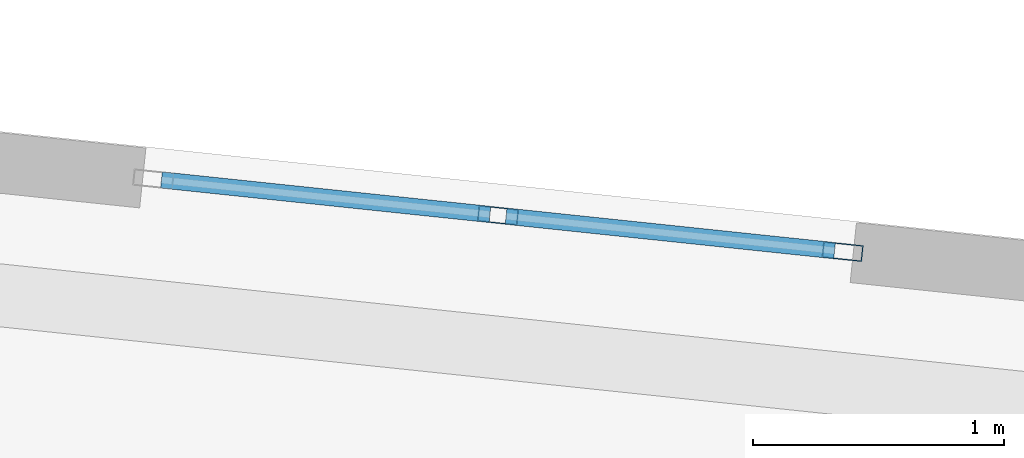
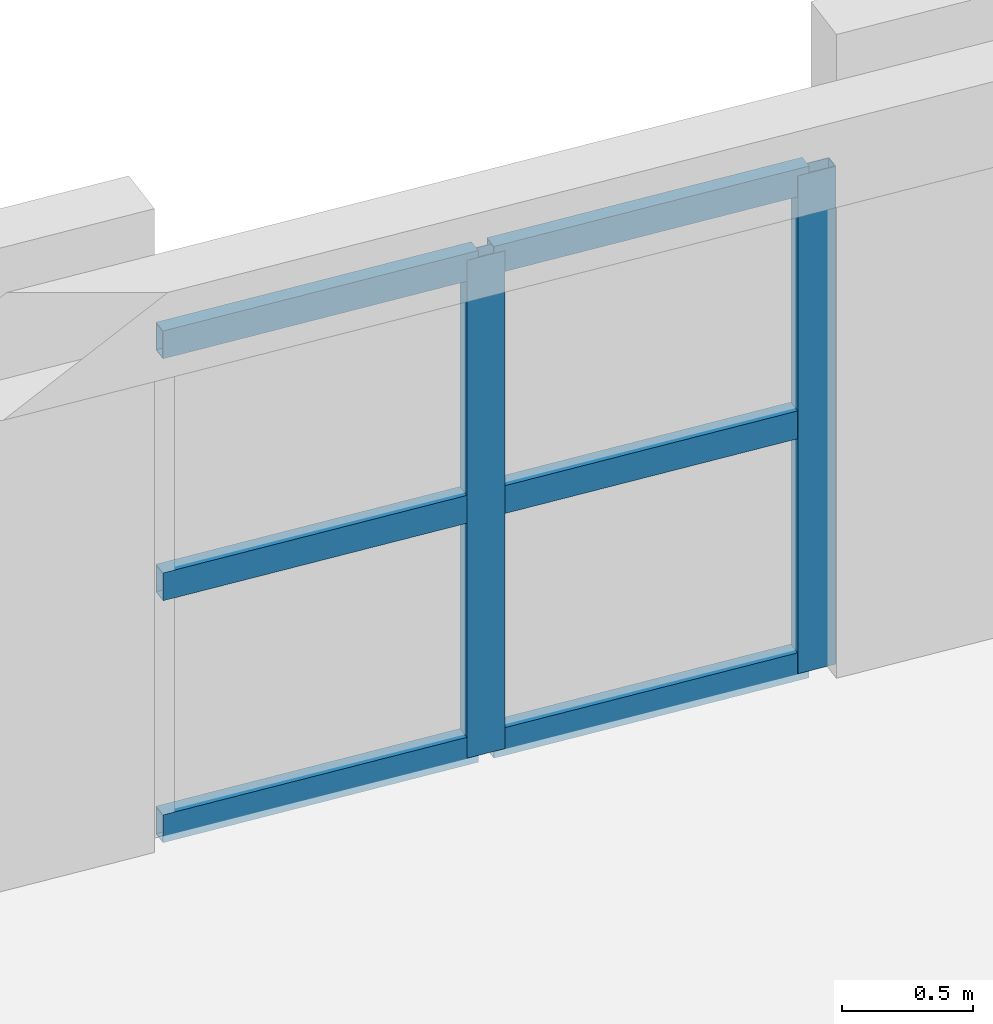
# One storey, part 16 of 56: 8 members, 1 element without a shape of its own.
"""IFC4 building model written with IfcOpenShell, lengths in metres."""

from ifc_helpers import new_model, si_unit, direction, frame, origin, origin_2d, place, context, subcontext, project, spatial, hollow_rectangle, extrude, material, material_profile, profile_set, type_object, element, aggregate, save


model = new_model("IFC4")

# Units and contexts
model_context = context("Model", 3, precision=1e-05, world=origin(), true_north=direction((0.0, 1.0)))
body_context = subcontext(model_context, "Body", "Model", "MODEL_VIEW")
ifc_project = project(units=[si_unit("LENGTHUNIT", "METRE"), si_unit("AREAUNIT", "SQUARE_METRE"), si_unit("VOLUMEUNIT", "CUBIC_METRE"), si_unit("PLANEANGLEUNIT", "RADIAN"), si_unit("MASSUNIT", "GRAM", prefix="KILO")], contexts=[model_context])

# Site, building, storey
site_placement = place(None, origin())
site = spatial("IfcSite", under=ifc_project, at=site_placement, CompositionType="ELEMENT")
building_placement = place(site_placement, origin())
building = spatial("IfcBuilding", under=site, at=building_placement, Name="Kestramere Prow Commons", CompositionType="ELEMENT")
storey_placement = place(building_placement, frame((0.0, 0.0, 27.89990234375)))
storey = spatial("IfcBuildingStorey", under=building, at=storey_placement, Name="L08", CompositionType="ELEMENT", Elevation=27.89990234375)

# Curtain wall, members
ifc_material_1 = material(Name="Anodised Aluminium and Low-E Glass", Category="aluminium")
curtain_wall_type = type_object("IfcCurtainWallType", Name="CW-03 Glazed Curtain Wall 2830x2320", PredefinedType="USERDEFINED", material=ifc_material_1)
curtain_wall_placement = place(storey_placement, origin())
curtain_wall = element("IfcCurtainWall", 1, at=curtain_wall_placement, inside=storey, type_object=curtain_wall_type, Name="Block B L08 Stairwell Vertical Glazing 5", ObjectType="GLAZED CURTAIN WALL", PredefinedType="USERDEFINED")
ifc_material_2 = material(Name="Anodised Aluminium 6063-T6", Category="aluminium")
ifc_material_profile_1 = material_profile(ifc_material_2, hollow_rectangle(XDim=0.06494140625, YDim=0.159912109375, WallThickness=0.00390625, at=origin_2d()), Name="ALU-MUL 65x160")
ifc_profile_set_1 = profile_set([ifc_material_profile_1], Name="Anodised Aluminium 6063-T6")
member_type_1 = type_object("IfcMemberType", Name="CW-MUL-65x160", PredefinedType="MULLION", material=ifc_profile_set_1)
member_1_placement = place(storey_placement, frame((147.906494140625, 111.0517578125, 0.0), z_axis=(0.0, 0.0, 1.0), x_axis=(0.104528269348, 0.99452191575, 0.0)))
member_1 = element("IfcMember", 2, at=member_1_placement, type_object=member_type_1, Name="CW-03 mullion 2", PredefinedType="MULLION", context=body_context, shape_type="SweptSolid", body=[
    extrude(hollow_rectangle(XDim=0.06494140625, YDim=0.159912109375, WallThickness=0.00390625, at=origin_2d()), origin(), (0.0, 0.0, 1.0), 2.320068359375),
])
member_2_placement = place(storey_placement, frame((149.28125, 110.9072265625, 0.0), z_axis=(0.0, 0.0, 1.0), x_axis=(0.104528269348, 0.99452191575, 0.0)))
member_2 = element("IfcMember", 3, at=member_2_placement, type_object=member_type_1, Name="CW-03 mullion 3", PredefinedType="MULLION", context=body_context, shape_type="SweptSolid", body=[
    extrude(hollow_rectangle(XDim=0.06494140625, YDim=0.159912109375, WallThickness=0.00390625, at=origin_2d()), origin(), (0.0, 0.0, 1.0), 2.320068359375),
])
ifc_material_profile_2 = material_profile(ifc_material_2, hollow_rectangle(XDim=0.06494140625, YDim=0.1298828125, WallThickness=0.00390625, at=origin_2d()), Name="ALU-TRN 65x130")
ifc_profile_set_2 = profile_set([ifc_material_profile_2], Name="Anodised Aluminium 6063-T6")
member_type_2 = type_object("IfcMemberType", Name="CW-TRN-65x130", PredefinedType="USERDEFINED", material=ifc_profile_set_2)
member_3_placement = place(storey_placement, frame((146.563720703125, 111.19287109375, 0.03271484375), z_axis=(0.994523714271, -0.104511156111, 0.0), x_axis=(0.104511156111, 0.994523714271, 0.0)))
member_3 = element("IfcMember", 4, at=member_3_placement, type_object=member_type_2, Name="CW-03 transom 1.1", ObjectType="TRANSOM", PredefinedType="USERDEFINED", context=body_context, shape_type="SweptSolid", body=[
    extrude(hollow_rectangle(XDim=0.06494140625, YDim=0.1298828125, WallThickness=0.00390625, at=origin_2d()), origin(), (0.0, 0.0, 1.0), 1.317626953125),
])
member_4_placement = place(storey_placement, frame((146.563720703125, 111.19287109375, 1.16015625), z_axis=(0.994523714271, -0.104511156111, 0.0), x_axis=(0.104511156111, 0.994523714271, 0.0)))
member_4 = element("IfcMember", 5, at=member_4_placement, type_object=member_type_2, Name="CW-03 transom 1.2", ObjectType="TRANSOM", PredefinedType="USERDEFINED", context=body_context, shape_type="SweptSolid", body=[
    extrude(hollow_rectangle(XDim=0.06494140625, YDim=0.1298828125, WallThickness=0.00390625, at=origin_2d()), origin(), (0.0, 0.0, 1.0), 1.317626953125),
])
member_5_placement = place(storey_placement, frame((146.563720703125, 111.19287109375, 2.28759765625), z_axis=(0.994523714271, -0.104511156111, 0.0), x_axis=(0.104511156111, 0.994523714271, 0.0)))
member_5 = element("IfcMember", 6, at=member_5_placement, type_object=member_type_2, Name="CW-03 transom 1.3", ObjectType="TRANSOM", PredefinedType="USERDEFINED", context=body_context, shape_type="SweptSolid", body=[
    extrude(hollow_rectangle(XDim=0.06494140625, YDim=0.1298828125, WallThickness=0.00390625, at=origin_2d()), origin(), (0.0, 0.0, 1.0), 1.317626953125),
])
member_6_placement = place(storey_placement, frame((147.938720703125, 111.04833984375, 0.03271484375), z_axis=(0.994523714271, -0.104511156111, 0.0), x_axis=(0.104511156111, 0.994523714271, 0.0)))
member_6 = element("IfcMember", 7, at=member_6_placement, type_object=member_type_2, Name="CW-03 transom 2.1", ObjectType="TRANSOM", PredefinedType="USERDEFINED", context=body_context, shape_type="SweptSolid", body=[
    extrude(hollow_rectangle(XDim=0.06494140625, YDim=0.1298828125, WallThickness=0.00390625, at=origin_2d()), origin(), (0.0, 0.0, 1.0), 1.317626953125),
])
member_7_placement = place(storey_placement, frame((147.938720703125, 111.04833984375, 1.16015625), z_axis=(0.994523714271, -0.104511156111, 0.0), x_axis=(0.104511156111, 0.994523714271, 0.0)))
member_7 = element("IfcMember", 8, at=member_7_placement, type_object=member_type_2, Name="CW-03 transom 2.2", ObjectType="TRANSOM", PredefinedType="USERDEFINED", context=body_context, shape_type="SweptSolid", body=[
    extrude(hollow_rectangle(XDim=0.06494140625, YDim=0.1298828125, WallThickness=0.00390625, at=origin_2d()), origin(), (0.0, 0.0, 1.0), 1.317626953125),
])
member_8_placement = place(storey_placement, frame((147.938720703125, 111.04833984375, 2.28759765625), z_axis=(0.994523714271, -0.104511156111, 0.0), x_axis=(0.104511156111, 0.994523714271, 0.0)))
member_8 = element("IfcMember", 9, at=member_8_placement, type_object=member_type_2, Name="CW-03 transom 2.3", ObjectType="TRANSOM", PredefinedType="USERDEFINED", context=body_context, shape_type="SweptSolid", body=[
    extrude(hollow_rectangle(XDim=0.06494140625, YDim=0.1298828125, WallThickness=0.00390625, at=origin_2d()), origin(), (0.0, 0.0, 1.0), 1.317626953125),
])
aggregate(curtain_wall, [member_1, member_2, member_3, member_4, member_5, member_6, member_7, member_8])

save(model, "model.ifc")
